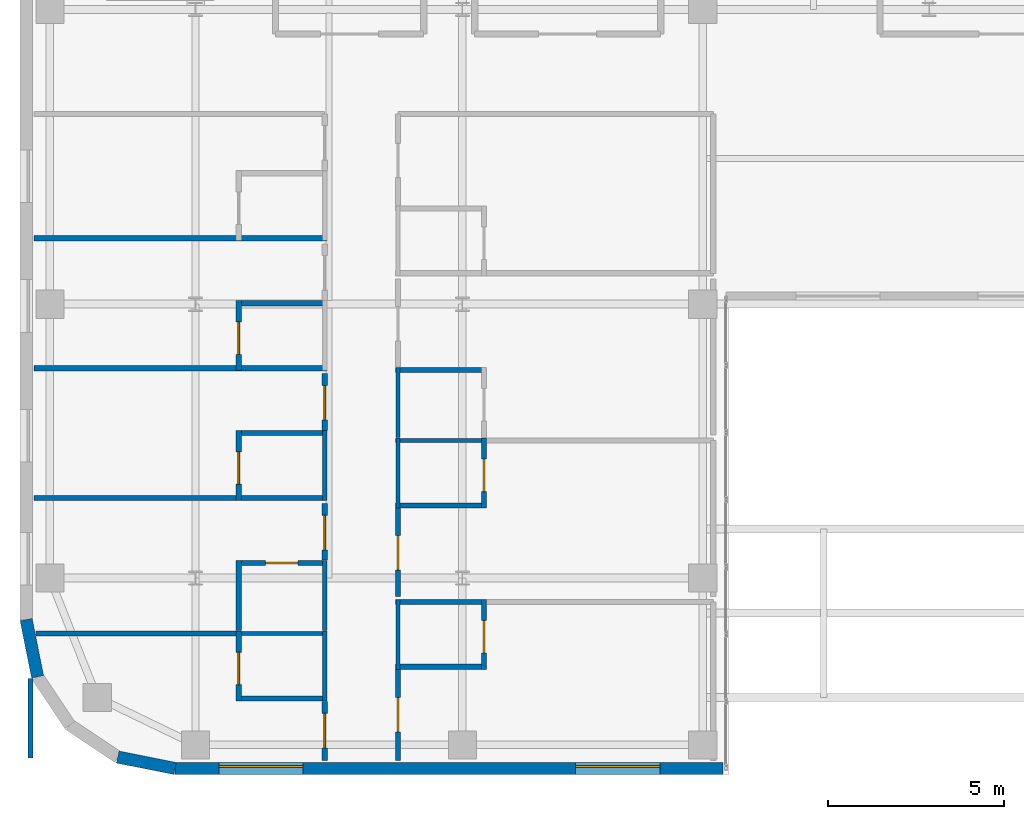
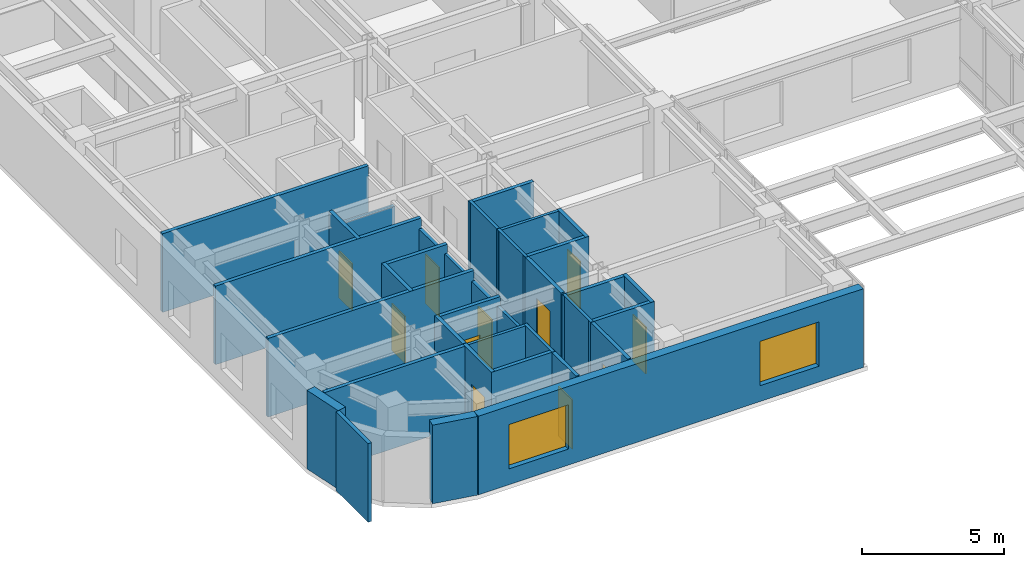
# One storey, part 7 of 15: 35 walls, 11 doors, 2 windows, 13 openings.
"""IFC4 building model written with IfcOpenShell, lengths in metres."""

from ifc_helpers import new_model, si_unit, direction, frame, frame_2d, origin, place, context, subcontext, project, spatial, rectangle, extrude, source, transform, mapped, material, layer, layer_set, type_object, type_shapes, element, fill, save


model = new_model("IFC4")

# Units and contexts
model_context = context("Model", 3, precision=1e-05, world=origin(), true_north=direction((0.0, 1.0)))
body_context = subcontext(model_context, "Body", "Model", "MODEL_VIEW")
ifc_project = project(units=[si_unit("LENGTHUNIT", "METRE"), si_unit("AREAUNIT", "SQUARE_METRE"), si_unit("VOLUMEUNIT", "CUBIC_METRE"), si_unit("PLANEANGLEUNIT", "RADIAN"), si_unit("MASSUNIT", "GRAM", prefix="KILO")], contexts=[model_context])

# Site, building, storey
site_placement = place(None, origin())
site = spatial("IfcSite", under=ifc_project, at=site_placement, CompositionType="ELEMENT")
building_placement = place(site_placement, origin())
building = spatial("IfcBuilding", under=site, at=building_placement, Name="Tolvann Quenvar Hotel", CompositionType="ELEMENT")
storey_placement = place(building_placement, frame((0.0, 0.0, 164.800048828125)))
storey = spatial("IfcBuildingStorey", under=building, at=storey_placement, Name="L43", CompositionType="ELEMENT", Elevation=164.800048828125)

# Wall
ifc_material_1 = material(Name="Kiln-fired red and buff architectural clay brickwork and terracotta masonry", Category="masonry")
ifc_layer_1 = layer(ifc_material_1, 0.35009765625)
ifc_layer_set_1 = layer_set([ifc_layer_1], Name="Kiln-fired red and buff architectural clay brickwork and terracotta masonry")
wall_type_1 = type_object("IfcWallType", Name="WALL_EXT_BRICK_350", PredefinedType="SOLIDWALL", material=ifc_layer_set_1)
wall_1_placement = place(storey_placement, frame((5.384521484375, 3.099609375, 0.0), z_axis=(0.0, 0.0, 1.0), x_axis=(0.980788844421, -0.195072403631, 0.0)))
element("IfcWall", 1, at=wall_1_placement, inside=storey, type_object=wall_type_1, Name="Exterior Chicago Brick Wall L43-E03", PredefinedType="SOLIDWALL", context=body_context, shape_type="SweptSolid", body=[
    extrude(rectangle(XDim=1.66455078125, YDim=0.35009765625, at=frame_2d((0.832275390625, 0.0))), origin(), (0.0, 0.0, 1.0), 3.369873046875),
])

# Wall, openings, windows
wall_2_placement = place(storey_placement, frame((7.01708984375, 2.77490234375, 0.0), z_axis=(0.0, 0.0, 1.0), x_axis=(1.0, 0.0, 0.0)))
wall_2 = element("IfcWall", 2, at=wall_2_placement, inside=storey, type_object=wall_type_1, Name="Exterior Chicago Brick Wall L43-E04", PredefinedType="SOLIDWALL", context=body_context, shape_type="SweptSolid", body=[
    extrude(rectangle(XDim=15.60791015625, YDim=0.35009765625, at=frame_2d((7.803955078125, 0.0))), origin(), (0.0, 0.0, 1.0), 3.369873046875),
])
opening_1_placement = place(wall_2_placement, frame((1.2509765625, 0.0, 0.679931640625)))
opening_1 = element("IfcOpeningElement", 3, at=opening_1_placement, cuts=wall_2, Name="Opening W-01", PredefinedType="OPENING", context=body_context, shape_type="SweptSolid", body=[
    extrude(rectangle(XDim=2.39990234375, YDim=1.89990234375, at=frame_2d((1.199951171875, 0.949951171875))), frame((0.0, 0.18505859375, 0.0), z_axis=(0.0, -1.0, 0.0), x_axis=(1.0, 0.0, 0.0)), (0.0, 0.0, 1.0), 0.3701171875),
])
opening_2_placement = place(wall_2_placement, frame((11.406982421875, 0.0, 0.679931640625)))
opening_2 = element("IfcOpeningElement", 4, at=opening_2_placement, cuts=wall_2, Name="Opening W-01", PredefinedType="OPENING", context=body_context, shape_type="SweptSolid", body=[
    extrude(rectangle(XDim=2.39990234375, YDim=1.89990234375, at=frame_2d((1.199951171875, 0.949951171875))), frame((0.0, 0.18505859375, 0.0), z_axis=(0.0, -1.0, 0.0), x_axis=(1.0, 0.0, 0.0)), (0.0, 0.0, 1.0), 0.3701171875),
])
ifc_material_2 = material(Name="Thermally broken bronze-anodised aluminium frame with double low-E glazing", Category="aluminium")
window_type = type_object("IfcWindowType", Name="WIN_CHI_2400x2050", PartitioningType="TRIPLE_PANEL_HORIZONTAL", PredefinedType="WINDOW", material=ifc_material_2)
shared_shape_1 = source(origin(), body_context, "Body", "SweptSolid", [
    extrude(rectangle(XDim=2.39990234375, YDim=1.89990234375, at=frame_2d((1.199951171875, 0.949951171875))), frame((0.0, 0.090087890625, 0.0), z_axis=(0.0, -1.0, 0.0), x_axis=(1.0, 0.0, 0.0)), (0.0, 0.0, 1.0), 0.06005859375),
])
type_shapes(window_type, [shared_shape_1])
window_1_placement = place(opening_1_placement, origin())
window_1 = element("IfcWindow", 5, at=window_1_placement, inside=storey, type_object=window_type, Name="Chicago Window W-01 (EW-L43-E04-W01)", OverallHeight=1.89990234375, OverallWidth=2.39990234375, PartitioningType="TRIPLE_PANEL_HORIZONTAL", PredefinedType="WINDOW", context=body_context, shape_type="MappedRepresentation", body=[
    mapped(shared_shape_1, transform((0.0, 0.0, 0.0), x_axis=(1.0, 0.0, 0.0), y_axis=(0.0, 1.0, 0.0), z_axis=(0.0, 0.0, 1.0), scale=1.0)),
])
fill(opening_1, window_1)
window_2_placement = place(opening_2_placement, origin())
window_2 = element("IfcWindow", 6, at=window_2_placement, inside=storey, type_object=window_type, Name="Chicago Window W-01 (EW-L43-E04-W02)", OverallHeight=1.89990234375, OverallWidth=2.39990234375, PartitioningType="TRIPLE_PANEL_HORIZONTAL", PredefinedType="WINDOW", context=body_context, shape_type="MappedRepresentation", body=[
    mapped(shared_shape_1, transform((0.0, 0.0, 0.0), x_axis=(1.0, 0.0, 0.0), y_axis=(0.0, 1.0, 0.0), z_axis=(0.0, 0.0, 1.0), scale=1.0)),
])
fill(opening_2, window_2)

# Walls
wall_3_placement = place(storey_placement, frame((2.77490234375, 7.01708984375, 0.0), z_axis=(0.0, 0.0, 1.0), x_axis=(0.195072403631, -0.980788844421, 0.0)))
element("IfcWall", 7, at=wall_3_placement, inside=storey, type_object=wall_type_1, Name="Exterior Chicago Brick Wall L43-E24", PredefinedType="SOLIDWALL", context=body_context, shape_type="SweptSolid", body=[
    extrude(rectangle(XDim=1.66455078125, YDim=0.35009765625, at=frame_2d((0.832275390625, 0.0))), origin(), (0.0, 0.0, 1.0), 3.369873046875),
])
ifc_material_3 = material(Name="Moisture-resistant acoustic plumbing wall assembly")
ifc_layer_2 = layer(ifc_material_3, 0.1201171875)
ifc_layer_set_2 = layer_set([ifc_layer_2], Name="Moisture-resistant acoustic plumbing wall assembly")
wall_type_2 = type_object("IfcWallType", Name="WALL_PART_BATH_120", PredefinedType="PLUMBINGWALL", material=ifc_layer_set_2)
wall_4_placement = place(storey_placement, frame((8.760009765625, 6.6201171875, 0.0), z_axis=(0.0, 0.0, 1.0), x_axis=(1.0, 0.0, 0.0)))
element("IfcWall", 8, at=wall_4_placement, inside=storey, type_object=wall_type_2, Name="Non-Rated Plumbing Partition PT-SPC-L43-ENS-WO01-N", PredefinedType="PLUMBINGWALL", context=body_context, shape_type="SweptSolid", body=[
    extrude(rectangle(XDim=2.590087890625, YDim=0.1201171875, at=frame_2d((1.294921875, 0.0))), origin(), (0.0, 0.0, 1.0), 3.369873046875),
])
wall_5_placement = place(storey_placement, frame((11.280029296875, 4.699951171875, 0.0), z_axis=(0.0, 0.0, 1.0), x_axis=(0.0, 1.0, 0.0)))
element("IfcWall", 9, at=wall_5_placement, inside=storey, type_object=wall_type_2, Name="Non-Rated Plumbing Partition PT-SPC-L43-ENS-WO01-E", PredefinedType="PLUMBINGWALL", context=body_context, shape_type="SweptSolid", body=[
    extrude(rectangle(XDim=1.989990234375, YDim=0.1201171875, at=frame_2d((0.9951171875, 0.0))), origin(), (0.0, 0.0, 1.0), 3.369873046875),
])
for number, where, z_axis, x_axis, name in (
    (10, (11.280029296875, 6.7099609375, 0.0), (0.0, 0.0, 1.0), (0.0, 1.0, 0.0), "Non-Rated Plumbing Partition PT-SPC-L43-ENS-WO02-E"),
    (11, (11.280029296875, 10.409912109375, 0.0), (0.0, 0.0, 1.0), (0.0, 1.0, 0.0), "Non-Rated Plumbing Partition PT-SPC-L43-ENS-WO03-E"),
):
    element("IfcWall", number, at=place(storey_placement, frame(where, z_axis=z_axis, x_axis=x_axis)), inside=storey, type_object=wall_type_2, Name=name, PredefinedType="PLUMBINGWALL", context=body_context, shape_type="SweptSolid", body=[
        extrude(rectangle(XDim=1.989990234375, YDim=0.1201171875, at=frame_2d((0.9951171875, 0.0))), origin(), (0.0, 0.0, 1.0), 3.0009765625),
    ])
wall_6_placement = place(storey_placement, frame((13.3701171875, 5.60009765625, 0.0), z_axis=(0.0, 0.0, 1.0), x_axis=(0.0, 1.0, 0.0)))
element("IfcWall", 12, at=wall_6_placement, inside=storey, type_object=wall_type_2, Name="Non-Rated Plumbing Partition PT-SPC-L43-ENS-WI01-W", PredefinedType="PLUMBINGWALL", context=body_context, shape_type="SweptSolid", body=[
    extrude(rectangle(XDim=1.989990234375, YDim=0.1201171875, at=frame_2d((0.9951171875, 0.0))), origin(), (0.0, 0.0, 1.0), 3.369873046875),
])
wall_7_placement = place(storey_placement, frame((13.300048828125, 12.1201171875, 0.0), z_axis=(0.0, 0.0, 1.0), x_axis=(1.0, 0.0, 0.0)))
element("IfcWall", 13, at=wall_7_placement, inside=storey, type_object=wall_type_2, Name="Non-Rated Plumbing Partition PT-SPC-L43-ENS-WI02-N", PredefinedType="PLUMBINGWALL", context=body_context, shape_type="SweptSolid", body=[
    extrude(rectangle(XDim=2.58984375, YDim=0.1201171875, at=frame_2d((1.294921875, 0.0))), origin(), (0.0, 0.0, 1.0), 3.369873046875),
])
for number, where, z_axis, x_axis, name in (
    (14, (13.3701171875, 10.199951171875, 0.0), (0.0, 0.0, 1.0), (0.0, 1.0, 0.0), "Non-Rated Plumbing Partition PT-SPC-L43-ENS-WI02-W"),
    (15, (13.3701171875, 12.2099609375, 0.0), (0.0, 0.0, 1.0), (0.0, 1.0, 0.0), "Non-Rated Plumbing Partition PT-SPC-L43-ENS-WI03-W"),
):
    element("IfcWall", number, at=place(storey_placement, frame(where, z_axis=z_axis, x_axis=x_axis)), inside=storey, type_object=wall_type_2, Name=name, PredefinedType="PLUMBINGWALL", context=body_context, shape_type="SweptSolid", body=[
        extrude(rectangle(XDim=1.989990234375, YDim=0.1201171875, at=frame_2d((0.9951171875, 0.0))), origin(), (0.0, 0.0, 1.0), 3.369873046875),
    ])

# Wall, opening, door
ifc_material_4 = material(Name="Acoustic twin-stud fire-rated gypsum plasterboard partition")
ifc_layer_3 = layer(ifc_material_4, 0.14990234375)
ifc_layer_set_3 = layer_set([ifc_layer_3], Name="Acoustic twin-stud fire-rated gypsum plasterboard partition")
wall_type_3 = type_object("IfcWallType", Name="WALL_PART_SUITE_150", PredefinedType="PARTITIONING", material=ifc_layer_set_3)
wall_8_placement = place(storey_placement, frame((8.830078125, 4.699951171875, 0.0), z_axis=(0.0, 0.0, 1.0), x_axis=(0.0, 1.0, 0.0)))
wall_8 = element("IfcWall", 16, at=wall_8_placement, inside=storey, type_object=wall_type_3, Name="Interior Partition PT-SPC-L43-ENS-WO01-ENT", PredefinedType="PARTITIONING", context=body_context, shape_type="SweptSolid", body=[
    extrude(rectangle(XDim=1.989990234375, YDim=0.14990234375, at=frame_2d((0.9951171875, 0.0))), origin(), (0.0, 0.0, 1.0), 3.369873046875),
])
opening_3_placement = place(wall_8_placement, frame((0.465087890625, 0.0, 0.0)))
opening_3 = element("IfcOpeningElement", 17, at=opening_3_placement, cuts=wall_8, Name="Opening WD-01", PredefinedType="OPENING", context=body_context, shape_type="SweptSolid", body=[
    extrude(rectangle(XDim=0.919921875, YDim=2.010009765625, at=frame_2d((0.4599609375, 1.0048828125))), frame((0.0, 0.0849609375, 0.0), z_axis=(0.0, -1.0, 0.0), x_axis=(1.0, 0.0, 0.0)), (0.0, 0.0, 1.0), 0.169921875),
])
ifc_material_5 = material(Name="Solid-core American oak acoustic fire door leaf in steel frame", Category="steel")
door_type_1 = type_object("IfcDoorType", Name="DOOR_WC_920", OperationType="NOTDEFINED", PredefinedType="DOOR", material=ifc_material_5)
shared_shape_2 = source(origin(), body_context, "Body", "SweptSolid", [
    extrude(rectangle(XDim=0.919921875, YDim=2.010009765625, at=frame_2d((0.4599609375, 1.0048828125))), frame((0.0, 0.02490234375, 0.0), z_axis=(0.0, -1.0, 0.0), x_axis=(1.0, 0.0, 0.0)), (0.0, 0.0, 1.0), 0.050048828125),
])
type_shapes(door_type_1, [shared_shape_2])
door_1_placement = place(opening_3_placement, origin())
door_1 = element("IfcDoor", 18, at=door_1_placement, inside=storey, type_object=door_type_1, Name="Interior Door DOOR-SPC-L43-ENS-WO01", OperationType="SINGLE_SWING_LEFT", OverallHeight=2.010009765625, OverallWidth=0.919921875, PredefinedType="DOOR", context=body_context, shape_type="MappedRepresentation", body=[
    mapped(shared_shape_2, transform((0.0, 0.0, 0.0), x_axis=(1.0, 0.0, 0.0), y_axis=(0.0, 1.0, 0.0), z_axis=(0.0, 0.0, 1.0), scale=1.0)),
])
fill(opening_3, door_1)

# Walls
wall_9_placement = place(storey_placement, frame((8.760009765625, 4.77001953125, 0.0), z_axis=(0.0, 0.0, 1.0), x_axis=(1.0, 0.0, 0.0)))
element("IfcWall", 19, at=wall_9_placement, inside=storey, type_object=wall_type_3, Name="Interior Partition PT-SPC-L43-ENS-WO01-S", PredefinedType="PARTITIONING", context=body_context, shape_type="SweptSolid", body=[
    extrude(rectangle(XDim=2.590087890625, YDim=0.14990234375, at=frame_2d((1.294921875, 0.0))), origin(), (0.0, 0.0, 1.0), 3.369873046875),
])
wall_10_placement = place(storey_placement, frame((8.830078125, 6.7099609375, 0.0), z_axis=(0.0, 0.0, 1.0), x_axis=(0.0, 1.0, 0.0)))
element("IfcWall", 20, at=wall_10_placement, inside=storey, type_object=wall_type_3, Name="Interior Partition PT-SPC-L43-ENS-WO02-ENT", PredefinedType="PARTITIONING", context=body_context, shape_type="SweptSolid", body=[
    extrude(rectangle(XDim=1.989990234375, YDim=0.14990234375, at=frame_2d((0.9951171875, 0.0))), origin(), (0.0, 0.0, 1.0), 3.369873046875),
])

# Wall, opening, door
wall_11_placement = place(storey_placement, frame((8.760009765625, 8.6298828125, 0.0), z_axis=(0.0, 0.0, 1.0), x_axis=(1.0, 0.0, 0.0)))
wall_11 = element("IfcWall", 21, at=wall_11_placement, inside=storey, type_object=wall_type_3, Name="Interior Partition PT-SPC-L43-ENS-WO02-N", PredefinedType="PARTITIONING", context=body_context, shape_type="SweptSolid", body=[
    extrude(rectangle(XDim=2.590087890625, YDim=0.14990234375, at=frame_2d((1.294921875, 0.0))), origin(), (0.0, 0.0, 1.0), 3.369873046875),
])
opening_4_placement = place(wall_11_placement, frame((0.8349609375, 0.0, 0.0)))
opening_4 = element("IfcOpeningElement", 22, at=opening_4_placement, cuts=wall_11, Name="Opening WD-01", PredefinedType="OPENING", context=body_context, shape_type="SweptSolid", body=[
    extrude(rectangle(XDim=0.919921875, YDim=2.010009765625, at=frame_2d((0.4599609375, 1.0048828125))), frame((0.0, 0.0849609375, 0.0), z_axis=(0.0, -1.0, 0.0), x_axis=(1.0, 0.0, 0.0)), (0.0, 0.0, 1.0), 0.169921875),
])
door_2_placement = place(opening_4_placement, origin())
door_2 = element("IfcDoor", 23, at=door_2_placement, inside=storey, type_object=door_type_1, Name="Interior Door DOOR-SPC-L43-ENS-WO02", OperationType="SINGLE_SWING_RIGHT", OverallHeight=2.010009765625, OverallWidth=0.919921875, PredefinedType="DOOR", context=body_context, shape_type="MappedRepresentation", body=[
    mapped(shared_shape_2, transform((0.0, 0.0, 0.0), x_axis=(1.0, 0.0, 0.0), y_axis=(0.0, 1.0, 0.0), z_axis=(0.0, 0.0, 1.0), scale=1.0)),
])
fill(opening_4, door_2)

wall_12_placement = place(storey_placement, frame((8.830078125, 10.409912109375, 0.0), z_axis=(0.0, 0.0, 1.0), x_axis=(0.0, 1.0, 0.0)))
wall_12 = element("IfcWall", 24, at=wall_12_placement, inside=storey, type_object=wall_type_3, Name="Interior Partition PT-SPC-L43-ENS-WO03-ENT", PredefinedType="PARTITIONING", context=body_context, shape_type="SweptSolid", body=[
    extrude(rectangle(XDim=1.989990234375, YDim=0.14990234375, at=frame_2d((0.9951171875, 0.0))), origin(), (0.0, 0.0, 1.0), 3.369873046875),
])
opening_5_placement = place(wall_12_placement, frame((0.465087890625, 0.0, 0.0)))
opening_5 = element("IfcOpeningElement", 25, at=opening_5_placement, cuts=wall_12, Name="Opening WD-01", PredefinedType="OPENING", context=body_context, shape_type="SweptSolid", body=[
    extrude(rectangle(XDim=0.919921875, YDim=2.010009765625, at=frame_2d((0.4599609375, 1.0048828125))), frame((0.0, 0.0849609375, 0.0), z_axis=(0.0, -1.0, 0.0), x_axis=(1.0, 0.0, 0.0)), (0.0, 0.0, 1.0), 0.169921875),
])
door_3_placement = place(opening_5_placement, origin())
door_3 = element("IfcDoor", 26, at=door_3_placement, inside=storey, type_object=door_type_1, Name="Interior Door DOOR-SPC-L43-ENS-WO03", OperationType="SINGLE_SWING_LEFT", OverallHeight=2.010009765625, OverallWidth=0.919921875, PredefinedType="DOOR", context=body_context, shape_type="MappedRepresentation", body=[
    mapped(shared_shape_2, transform((0.0, 0.0, 0.0), x_axis=(1.0, 0.0, 0.0), y_axis=(0.0, 1.0, 0.0), z_axis=(0.0, 0.0, 1.0), scale=1.0)),
])
fill(opening_5, door_3)

# Walls
wall_13_placement = place(storey_placement, frame((3.0048828125, 10.47998046875, 0.0), z_axis=(0.0, 0.0, 1.0), x_axis=(1.0, 0.0, 0.0)))
element("IfcWall", 27, at=wall_13_placement, inside=storey, type_object=wall_type_3, Name="Interior Partition PT-SPC-L43-ENS-WO03-S", PredefinedType="PARTITIONING", context=body_context, shape_type="SweptSolid", body=[
    extrude(rectangle(XDim=8.34521484375, YDim=0.14990234375, at=frame_2d((4.172607421875, 0.0))), origin(), (0.0, 0.0, 1.0), 3.369873046875),
])
wall_14_placement = place(storey_placement, frame((8.760009765625, 12.330078125, 0.0), z_axis=(0.0, 0.0, 1.0), x_axis=(1.0, 0.0, 0.0)))
element("IfcWall", 28, at=wall_14_placement, inside=storey, type_object=wall_type_3, Name="Interior Partition PT-SPC-L43-ENS-WO03-N", PredefinedType="PARTITIONING", context=body_context, shape_type="SweptSolid", body=[
    extrude(rectangle(XDim=2.590087890625, YDim=0.14990234375, at=frame_2d((1.294921875, 0.0))), origin(), (0.0, 0.0, 1.0), 3.369873046875),
])

# Wall, opening, door
wall_15_placement = place(storey_placement, frame((8.830078125, 14.110107421875, 0.0), z_axis=(0.0, 0.0, 1.0), x_axis=(0.0, 1.0, 0.0)))
wall_15 = element("IfcWall", 29, at=wall_15_placement, inside=storey, type_object=wall_type_3, Name="Interior Partition PT-SPC-L43-ENS-WO04-ENT", PredefinedType="PARTITIONING", context=body_context, shape_type="SweptSolid", body=[
    extrude(rectangle(XDim=1.989990234375, YDim=0.14990234375, at=frame_2d((0.9951171875, 0.0))), origin(), (0.0, 0.0, 1.0), 3.369873046875),
])
opening_6_placement = place(wall_15_placement, frame((0.465087890625, 0.0, 0.0)))
opening_6 = element("IfcOpeningElement", 30, at=opening_6_placement, cuts=wall_15, Name="Opening WD-01", PredefinedType="OPENING", context=body_context, shape_type="SweptSolid", body=[
    extrude(rectangle(XDim=0.919921875, YDim=2.010009765625, at=frame_2d((0.4599609375, 1.0048828125))), frame((0.0, 0.0849609375, 0.0), z_axis=(0.0, -1.0, 0.0), x_axis=(1.0, 0.0, 0.0)), (0.0, 0.0, 1.0), 0.169921875),
])
door_4_placement = place(opening_6_placement, origin())
door_4 = element("IfcDoor", 31, at=door_4_placement, inside=storey, type_object=door_type_1, Name="Interior Door DOOR-SPC-L43-ENS-WO04", OperationType="SINGLE_SWING_RIGHT", OverallHeight=2.010009765625, OverallWidth=0.919921875, PredefinedType="DOOR", context=body_context, shape_type="MappedRepresentation", body=[
    mapped(shared_shape_2, transform((0.0, 0.0, 0.0), x_axis=(1.0, 0.0, 0.0), y_axis=(0.0, 1.0, 0.0), z_axis=(0.0, 0.0, 1.0), scale=1.0)),
])
fill(opening_6, door_4)

# Walls
wall_16_placement = place(storey_placement, frame((3.0048828125, 14.179931640625, 0.0), z_axis=(0.0, 0.0, 1.0), x_axis=(1.0, 0.0, 0.0)))
element("IfcWall", 32, at=wall_16_placement, inside=storey, type_object=wall_type_3, Name="Interior Partition PT-SPC-L43-ENS-WO04-S", PredefinedType="PARTITIONING", context=body_context, shape_type="SweptSolid", body=[
    extrude(rectangle(XDim=8.34521484375, YDim=0.14990234375, at=frame_2d((4.172607421875, 0.0))), origin(), (0.0, 0.0, 1.0), 3.369873046875),
])
wall_17_placement = place(storey_placement, frame((8.760009765625, 16.030029296875, 0.0), z_axis=(0.0, 0.0, 1.0), x_axis=(1.0, 0.0, 0.0)))
element("IfcWall", 33, at=wall_17_placement, inside=storey, type_object=wall_type_3, Name="Interior Partition PT-SPC-L43-ENS-WO04-N", PredefinedType="PARTITIONING", context=body_context, shape_type="SweptSolid", body=[
    extrude(rectangle(XDim=2.590087890625, YDim=0.14990234375, at=frame_2d((1.294921875, 0.0))), origin(), (0.0, 0.0, 1.0), 2.758056640625),
])
wall_18_placement = place(storey_placement, frame((3.0048828125, 17.8798828125, 0.0), z_axis=(0.0, 0.0, 1.0), x_axis=(1.0, 0.0, 0.0)))
element("IfcWall", 34, at=wall_18_placement, inside=storey, type_object=wall_type_3, Name="Interior Partition PT-SPC-L43-ENS-WO05-S", PredefinedType="PARTITIONING", context=body_context, shape_type="SweptSolid", body=[
    extrude(rectangle(XDim=8.34521484375, YDim=0.14990234375, at=frame_2d((4.172607421875, 0.0))), origin(), (0.0, 0.0, 1.0), 3.369873046875),
])

# Wall, opening, door
wall_19_placement = place(storey_placement, frame((15.820068359375, 5.60009765625, 0.0), z_axis=(0.0, 0.0, 1.0), x_axis=(0.0, 1.0, 0.0)))
wall_19 = element("IfcWall", 35, at=wall_19_placement, inside=storey, type_object=wall_type_3, Name="Interior Partition PT-SPC-L43-ENS-WI01-ENT", PredefinedType="PARTITIONING", context=body_context, shape_type="SweptSolid", body=[
    extrude(rectangle(XDim=1.989990234375, YDim=0.14990234375, at=frame_2d((0.9951171875, 0.0))), origin(), (0.0, 0.0, 1.0), 3.369873046875),
])
opening_7_placement = place(wall_19_placement, frame((0.465087890625, 0.0, 0.0)))
opening_7 = element("IfcOpeningElement", 36, at=opening_7_placement, cuts=wall_19, Name="Opening WD-01", PredefinedType="OPENING", context=body_context, shape_type="SweptSolid", body=[
    extrude(rectangle(XDim=0.919921875, YDim=2.010009765625, at=frame_2d((0.4599609375, 1.0048828125))), frame((0.0, 0.0849609375, 0.0), z_axis=(0.0, -1.0, 0.0), x_axis=(1.0, 0.0, 0.0)), (0.0, 0.0, 1.0), 0.169921875),
])
door_5_placement = place(opening_7_placement, origin())
door_5 = element("IfcDoor", 37, at=door_5_placement, inside=storey, type_object=door_type_1, Name="Interior Door DOOR-SPC-L43-ENS-WI01", OperationType="SINGLE_SWING_RIGHT", OverallHeight=2.010009765625, OverallWidth=0.919921875, PredefinedType="DOOR", context=body_context, shape_type="MappedRepresentation", body=[
    mapped(shared_shape_2, transform((0.0, 0.0, 0.0), x_axis=(1.0, 0.0, 0.0), y_axis=(0.0, 1.0, 0.0), z_axis=(0.0, 0.0, 1.0), scale=1.0)),
])
fill(opening_7, door_5)

# Walls
for number, where, z_axis, x_axis, name in (
    (38, (13.300048828125, 5.669921875, 0.0), (0.0, 0.0, 1.0), (1.0, 0.0, 0.0), "Interior Partition PT-SPC-L43-ENS-WI01-S"),
    (39, (13.300048828125, 7.52001953125, 0.0), (0.0, 0.0, 1.0), (1.0, 0.0, 0.0), "Interior Partition PT-SPC-L43-ENS-WI01-N"),
):
    element("IfcWall", number, at=place(storey_placement, frame(where, z_axis=z_axis, x_axis=x_axis)), inside=storey, type_object=wall_type_3, Name=name, PredefinedType="PARTITIONING", context=body_context, shape_type="SweptSolid", body=[
        extrude(rectangle(XDim=2.58984375, YDim=0.14990234375, at=frame_2d((1.294921875, 0.0))), origin(), (0.0, 0.0, 1.0), 3.369873046875),
    ])

# Wall, opening, door
wall_20_placement = place(storey_placement, frame((15.820068359375, 10.199951171875, 0.0), z_axis=(0.0, 0.0, 1.0), x_axis=(0.0, 1.0, 0.0)))
wall_20 = element("IfcWall", 40, at=wall_20_placement, inside=storey, type_object=wall_type_3, Name="Interior Partition PT-SPC-L43-ENS-WI02-ENT", PredefinedType="PARTITIONING", context=body_context, shape_type="SweptSolid", body=[
    extrude(rectangle(XDim=1.989990234375, YDim=0.14990234375, at=frame_2d((0.9951171875, 0.0))), origin(), (0.0, 0.0, 1.0), 3.369873046875),
])
opening_8_placement = place(wall_20_placement, frame((0.465087890625, 0.0, 0.0)))
opening_8 = element("IfcOpeningElement", 41, at=opening_8_placement, cuts=wall_20, Name="Opening WD-01", PredefinedType="OPENING", context=body_context, shape_type="SweptSolid", body=[
    extrude(rectangle(XDim=0.919921875, YDim=2.010009765625, at=frame_2d((0.4599609375, 1.0048828125))), frame((0.0, 0.0849609375, 0.0), z_axis=(0.0, -1.0, 0.0), x_axis=(1.0, 0.0, 0.0)), (0.0, 0.0, 1.0), 0.169921875),
])
door_6_placement = place(opening_8_placement, origin())
door_6 = element("IfcDoor", 42, at=door_6_placement, inside=storey, type_object=door_type_1, Name="Interior Door DOOR-SPC-L43-ENS-WI02", OperationType="SINGLE_SWING_LEFT", OverallHeight=2.010009765625, OverallWidth=0.919921875, PredefinedType="DOOR", context=body_context, shape_type="MappedRepresentation", body=[
    mapped(shared_shape_2, transform((0.0, 0.0, 0.0), x_axis=(1.0, 0.0, 0.0), y_axis=(0.0, 1.0, 0.0), z_axis=(0.0, 0.0, 1.0), scale=1.0)),
])
fill(opening_8, door_6)

# Walls
for number, where, z_axis, x_axis, name in (
    (43, (13.300048828125, 10.27001953125, 0.0), (0.0, 0.0, 1.0), (1.0, 0.0, 0.0), "Interior Partition PT-SPC-L43-ENS-WI02-S"),
    (44, (13.300048828125, 14.1298828125, 0.0), (0.0, 0.0, 1.0), (1.0, 0.0, 0.0), "Interior Partition PT-SPC-L43-ENS-WI03-N"),
):
    element("IfcWall", number, at=place(storey_placement, frame(where, z_axis=z_axis, x_axis=x_axis)), inside=storey, type_object=wall_type_3, Name=name, PredefinedType="PARTITIONING", context=body_context, shape_type="SweptSolid", body=[
        extrude(rectangle(XDim=2.58984375, YDim=0.14990234375, at=frame_2d((1.294921875, 0.0))), origin(), (0.0, 0.0, 1.0), 3.369873046875),
    ])

# Wall, opening, door
wall_21_placement = place(storey_placement, frame((11.280029296875, 3.0048828125, 0.0), z_axis=(0.0, 0.0, 1.0), x_axis=(0.0, 1.0, 0.0)))
wall_21 = element("IfcWall", 45, at=wall_21_placement, inside=storey, type_object=wall_type_3, Name="Interior Partition PT-SPC-L43-RM-WO01-ENT", PredefinedType="PARTITIONING", context=body_context, shape_type="SweptSolid", body=[
    extrude(rectangle(XDim=1.68505859375, YDim=0.14990234375, at=frame_2d((0.842529296875, 0.0))), origin(), (0.0, 0.0, 1.0), 3.369873046875),
])
opening_9_placement = place(wall_21_placement, frame((0.360107421875, 0.0, 0.0)))
opening_9 = element("IfcOpeningElement", 46, at=opening_9_placement, cuts=wall_21, Name="Opening SD-01", PredefinedType="OPENING", context=body_context, shape_type="SweptSolid", body=[
    extrude(rectangle(XDim=0.97998046875, YDim=2.1201171875, at=frame_2d((0.489990234375, 1.06005859375))), frame((0.0, 0.0849609375, 0.0), z_axis=(0.0, -1.0, 0.0), x_axis=(1.0, 0.0, 0.0)), (0.0, 0.0, 1.0), 0.169921875),
])
door_type_2 = type_object("IfcDoorType", Name="DOOR_SUITE_980", OperationType="NOTDEFINED", PredefinedType="DOOR", material=ifc_material_5)
shared_shape_3 = source(origin(), body_context, "Body", "SweptSolid", [
    extrude(rectangle(XDim=0.97998046875, YDim=2.1201171875, at=frame_2d((0.489990234375, 1.06005859375))), frame((0.0, 0.02490234375, 0.0), z_axis=(0.0, -1.0, 0.0), x_axis=(1.0, 0.0, 0.0)), (0.0, 0.0, 1.0), 0.050048828125),
])
type_shapes(door_type_2, [shared_shape_3])
door_7_placement = place(opening_9_placement, origin())
door_7 = element("IfcDoor", 47, at=door_7_placement, inside=storey, type_object=door_type_2, Name="Interior Door DOOR-SPC-L43-RM-WO01", OperationType="SINGLE_SWING_LEFT", OverallHeight=2.1201171875, OverallWidth=0.97998046875, PredefinedType="DOOR", context=body_context, shape_type="MappedRepresentation", body=[
    mapped(shared_shape_3, transform((0.0, 0.0, 0.0), x_axis=(1.0, 0.0, 0.0), y_axis=(0.0, 1.0, 0.0), z_axis=(0.0, 0.0, 1.0), scale=1.0)),
])
fill(opening_9, door_7)

# Walls
wall_22_placement = place(storey_placement, frame((3.056884765625, 6.6201171875, 0.0), z_axis=(0.0, 0.0, 1.0), x_axis=(1.0, 0.0, 0.0)))
element("IfcWall", 48, at=wall_22_placement, inside=storey, type_object=wall_type_3, Name="Interior Partition PT-SPC-L43-RM-WO01-E5", PredefinedType="PARTITIONING", context=body_context, shape_type="SweptSolid", body=[
    extrude(rectangle(XDim=5.693115234375, YDim=0.14990234375, at=frame_2d((2.8466796875, 0.0))), origin(), (0.0, 0.0, 1.0), 3.369873046875),
])
wall_23_placement = place(storey_placement, frame((2.89990234375, 3.080078125, 0.0), z_axis=(0.0, 0.0, 1.0), x_axis=(0.0, 1.0, 0.0)))
element("IfcWall", 49, at=wall_23_placement, inside=storey, type_object=wall_type_3, Name="Interior Partition PT-SPC-L43-RM-WO01-E6", PredefinedType="PARTITIONING", context=body_context, shape_type="SweptSolid", body=[
    extrude(rectangle(XDim=2.264892578125, YDim=0.14990234375, at=frame_2d((1.13232421875, 0.0))), origin(), (0.0, 0.0, 1.0), 3.369873046875),
])

# Wall, opening, door
wall_24_placement = place(storey_placement, frame((11.280029296875, 8.7099609375, 0.0), z_axis=(0.0, 0.0, 1.0), x_axis=(0.0, 1.0, 0.0)))
wall_24 = element("IfcWall", 50, at=wall_24_placement, inside=storey, type_object=wall_type_3, Name="Interior Partition PT-SPC-L43-RM-WO02-ENT", PredefinedType="PARTITIONING", context=body_context, shape_type="SweptSolid", body=[
    extrude(rectangle(XDim=1.610107421875, YDim=0.14990234375, at=frame_2d((0.80517578125, 0.0))), origin(), (0.0, 0.0, 1.0), 3.0009765625),
])
opening_10_placement = place(wall_24_placement, frame((0.294921875, 0.0, 0.0)))
opening_10 = element("IfcOpeningElement", 51, at=opening_10_placement, cuts=wall_24, Name="Opening SD-01", PredefinedType="OPENING", context=body_context, shape_type="SweptSolid", body=[
    extrude(rectangle(XDim=0.97998046875, YDim=2.1201171875, at=frame_2d((0.489990234375, 1.06005859375))), frame((0.0, 0.0849609375, 0.0), z_axis=(0.0, -1.0, 0.0), x_axis=(1.0, 0.0, 0.0)), (0.0, 0.0, 1.0), 0.169921875),
])
door_8_placement = place(opening_10_placement, origin())
door_8 = element("IfcDoor", 52, at=door_8_placement, inside=storey, type_object=door_type_2, Name="Interior Door DOOR-SPC-L43-RM-WO02", OperationType="SINGLE_SWING_RIGHT", OverallHeight=2.1201171875, OverallWidth=0.97998046875, PredefinedType="DOOR", context=body_context, shape_type="MappedRepresentation", body=[
    mapped(shared_shape_3, transform((0.0, 0.0, 0.0), x_axis=(1.0, 0.0, 0.0), y_axis=(0.0, 1.0, 0.0), z_axis=(0.0, 0.0, 1.0), scale=1.0)),
])
fill(opening_10, door_8)

wall_25_placement = place(storey_placement, frame((11.280029296875, 12.409912109375, 0.0), z_axis=(0.0, 0.0, 1.0), x_axis=(0.0, 1.0, 0.0)))
wall_25 = element("IfcWall", 53, at=wall_25_placement, inside=storey, type_object=wall_type_3, Name="Interior Partition PT-SPC-L43-RM-WO03-ENT", PredefinedType="PARTITIONING", context=body_context, shape_type="SweptSolid", body=[
    extrude(rectangle(XDim=1.610107421875, YDim=0.14990234375, at=frame_2d((0.80517578125, 0.0))), origin(), (0.0, 0.0, 1.0), 3.0009765625),
])
opening_11_placement = place(wall_25_placement, frame((0.294921875, 0.0, 0.0)))
opening_11 = element("IfcOpeningElement", 54, at=opening_11_placement, cuts=wall_25, Name="Opening SD-01", PredefinedType="OPENING", context=body_context, shape_type="SweptSolid", body=[
    extrude(rectangle(XDim=0.97998046875, YDim=2.1201171875, at=frame_2d((0.489990234375, 1.06005859375))), frame((0.0, 0.0849609375, 0.0), z_axis=(0.0, -1.0, 0.0), x_axis=(1.0, 0.0, 0.0)), (0.0, 0.0, 1.0), 0.169921875),
])
door_9_placement = place(opening_11_placement, origin())
door_9 = element("IfcDoor", 55, at=door_9_placement, inside=storey, type_object=door_type_2, Name="Interior Door DOOR-SPC-L43-RM-WO03", OperationType="SINGLE_SWING_LEFT", OverallHeight=2.1201171875, OverallWidth=0.97998046875, PredefinedType="DOOR", context=body_context, shape_type="MappedRepresentation", body=[
    mapped(shared_shape_3, transform((0.0, 0.0, 0.0), x_axis=(1.0, 0.0, 0.0), y_axis=(0.0, 1.0, 0.0), z_axis=(0.0, 0.0, 1.0), scale=1.0)),
])
fill(opening_11, door_9)

wall_26_placement = place(storey_placement, frame((13.3701171875, 3.0048828125, 0.0), z_axis=(0.0, 0.0, 1.0), x_axis=(0.0, 1.0, 0.0)))
wall_26 = element("IfcWall", 56, at=wall_26_placement, inside=storey, type_object=wall_type_3, Name="Interior Partition PT-SPC-L43-RM-WI01-ENT", PredefinedType="PARTITIONING", context=body_context, shape_type="SweptSolid", body=[
    extrude(rectangle(XDim=2.585205078125, YDim=0.14990234375, at=frame_2d((1.29248046875, 0.0))), origin(), (0.0, 0.0, 1.0), 3.369873046875),
])
opening_12_placement = place(wall_26_placement, frame((0.81005859375, 0.0, 0.0)))
opening_12 = element("IfcOpeningElement", 57, at=opening_12_placement, cuts=wall_26, Name="Opening SD-01", PredefinedType="OPENING", context=body_context, shape_type="SweptSolid", body=[
    extrude(rectangle(XDim=0.97998046875, YDim=2.1201171875, at=frame_2d((0.489990234375, 1.06005859375))), frame((0.0, 0.0849609375, 0.0), z_axis=(0.0, -1.0, 0.0), x_axis=(1.0, 0.0, 0.0)), (0.0, 0.0, 1.0), 0.169921875),
])
door_10_placement = place(opening_12_placement, origin())
door_10 = element("IfcDoor", 58, at=door_10_placement, inside=storey, type_object=door_type_2, Name="Interior Door DOOR-SPC-L43-RM-WI01", OperationType="SINGLE_SWING_RIGHT", OverallHeight=2.1201171875, OverallWidth=0.97998046875, PredefinedType="DOOR", context=body_context, shape_type="MappedRepresentation", body=[
    mapped(shared_shape_3, transform((0.0, 0.0, 0.0), x_axis=(1.0, 0.0, 0.0), y_axis=(0.0, 1.0, 0.0), z_axis=(0.0, 0.0, 1.0), scale=1.0)),
])
fill(opening_12, door_10)

wall_27_placement = place(storey_placement, frame((13.3701171875, 7.679931640625, 0.0), z_axis=(0.0, 0.0, 1.0), x_axis=(0.0, 1.0, 0.0)))
wall_27 = element("IfcWall", 59, at=wall_27_placement, inside=storey, type_object=wall_type_3, Name="Interior Partition PT-SPC-L43-RM-WI02-ENT", PredefinedType="PARTITIONING", context=body_context, shape_type="SweptSolid", body=[
    extrude(rectangle(XDim=2.510009765625, YDim=0.14990234375, at=frame_2d((1.2548828125, 0.0))), origin(), (0.0, 0.0, 1.0), 3.369873046875),
])
opening_13_placement = place(wall_27_placement, frame((0.7451171875, 0.0, 0.0)))
opening_13 = element("IfcOpeningElement", 60, at=opening_13_placement, cuts=wall_27, Name="Opening SD-01", PredefinedType="OPENING", context=body_context, shape_type="SweptSolid", body=[
    extrude(rectangle(XDim=0.97998046875, YDim=2.1201171875, at=frame_2d((0.489990234375, 1.06005859375))), frame((0.0, 0.0849609375, 0.0), z_axis=(0.0, -1.0, 0.0), x_axis=(1.0, 0.0, 0.0)), (0.0, 0.0, 1.0), 0.169921875),
])
door_11_placement = place(opening_13_placement, origin())
door_11 = element("IfcDoor", 61, at=door_11_placement, inside=storey, type_object=door_type_2, Name="Interior Door DOOR-SPC-L43-RM-WI02", OperationType="SINGLE_SWING_LEFT", OverallHeight=2.1201171875, OverallWidth=0.97998046875, PredefinedType="DOOR", context=body_context, shape_type="MappedRepresentation", body=[
    mapped(shared_shape_3, transform((0.0, 0.0, 0.0), x_axis=(1.0, 0.0, 0.0), y_axis=(0.0, 1.0, 0.0), z_axis=(0.0, 0.0, 1.0), scale=1.0)),
])
fill(opening_13, door_11)

save(model, "model.ifc")
